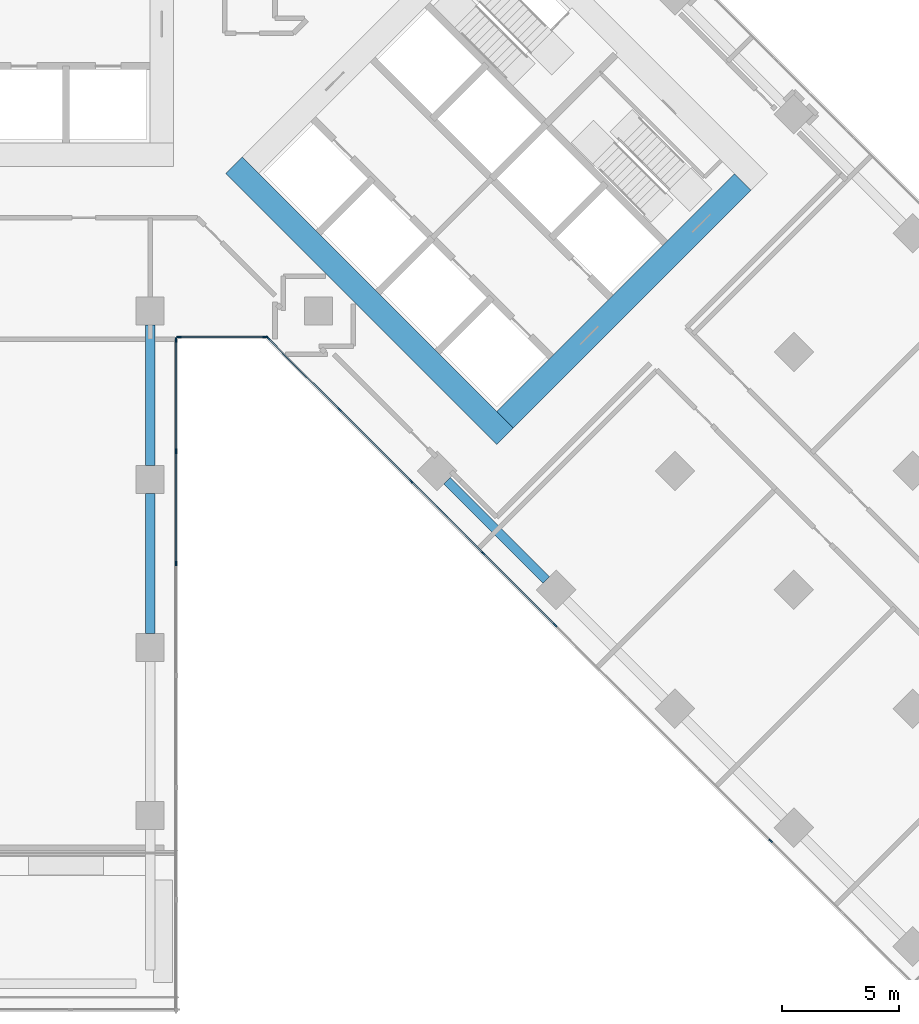
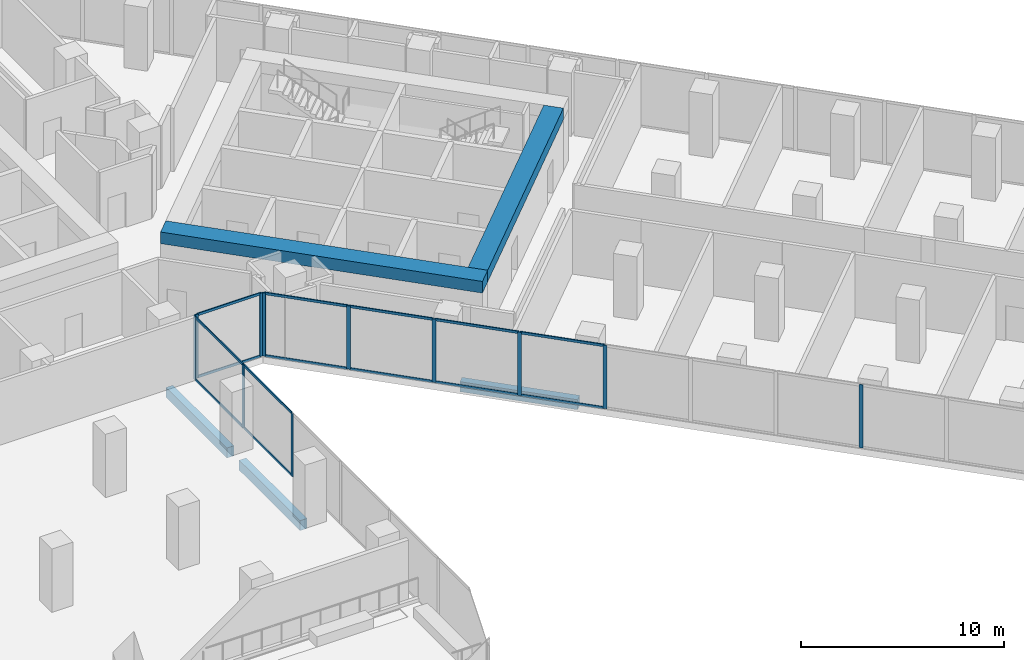
# One storey, part 10 of 27: 25 members, 5 beams, 3 elements without a shape of their own.
"""IFC4 building model written with IfcOpenShell, lengths in metres."""

from ifc_helpers import new_model, si_unit, direction, frame, origin, origin_2d, place, context, subcontext, project, spatial, rectangle, extrude, material, material_profile, profile_set, type_object, element, aggregate, save


model = new_model("IFC4")

# Units and contexts
model_context = context("Model", 3, precision=1e-05, world=origin(), true_north=direction((0.0, 1.0)))
body_context = subcontext(model_context, "Body", "Model", "MODEL_VIEW")
ifc_project = project(units=[si_unit("LENGTHUNIT", "METRE"), si_unit("AREAUNIT", "SQUARE_METRE"), si_unit("VOLUMEUNIT", "CUBIC_METRE"), si_unit("PLANEANGLEUNIT", "RADIAN"), si_unit("MASSUNIT", "GRAM", prefix="KILO")], contexts=[model_context])

# Site, building, storey
site_placement = place(None, origin())
site = spatial("IfcSite", under=ifc_project, at=site_placement, CompositionType="ELEMENT")
building_placement = place(site_placement, origin())
building = spatial("IfcBuilding", under=site, at=building_placement, Name="Windrow Commons", CompositionType="ELEMENT")
storey_placement = place(building_placement, frame((0.0, 0.0, 6.0)))
storey = spatial("IfcBuildingStorey", under=building, at=storey_placement, Name="L01", CompositionType="ELEMENT", Elevation=6.0)

# Curtain wall, members
ifc_material_1 = material(Name="Clear laminated glass in Aluminium 6063-T6 anodised frame", Category="aluminium")
curtain_wall_type = type_object("IfcCurtainWallType", Name="Curtain wall CW1 podium study hall", PredefinedType="USERDEFINED", material=ifc_material_1)
placement = place(storey_placement, origin())
curtain_wall_1 = element("IfcCurtainWall", 1, at=placement, inside=storey, type_object=curtain_wall_type, Name="Curtain wall CW1 L01 14", ObjectType="STICK", PredefinedType="USERDEFINED")
ifc_material_2 = material(Name="Aluminium 6063-T6", Category="aluminium")
ifc_material_profile_1 = material_profile(ifc_material_2, rectangle(XDim=0.06, YDim=0.2, at=origin_2d()))
ifc_profile_set_1 = profile_set([ifc_material_profile_1], Name="Aluminium 6063-T6")
member_type_1 = type_object("IfcMemberType", Name="CW1 mullion 60x200", PredefinedType="MULLION", material=ifc_profile_set_1)
member_1_placement = place(storey_placement, frame((73.1, 32.4, 0.0), z_axis=(0.0, 0.0, 1.0), x_axis=(-1.0, 0.0, 0.0)))
member_1 = element("IfcMember", 2, at=member_1_placement, type_object=member_type_1, Name="CW1 mullion 5", PredefinedType="MULLION", context=body_context, shape_type="SweptSolid", body=[
    extrude(rectangle(XDim=0.06, YDim=0.2, at=origin_2d()), origin(), (0.0, 0.0, 1.0), 3.8),
])
member_2_placement = place(storey_placement, frame((73.1, 37.2, 0.0), z_axis=(0.0, 0.0, 1.0), x_axis=(-1.0, 0.0, 0.0)))
member_2 = element("IfcMember", 3, at=member_2_placement, type_object=member_type_1, Name="CW1 mullion 6", PredefinedType="MULLION", context=body_context, shape_type="SweptSolid", body=[
    extrude(rectangle(XDim=0.06, YDim=0.2, at=origin_2d()), origin(), (0.0, 0.0, 1.0), 3.8),
])
member_3_placement = place(storey_placement, frame((73.1, 41.97, 0.0), z_axis=(0.0, 0.0, 1.0), x_axis=(-1.0, 0.0, 0.0)))
member_3 = element("IfcMember", 4, at=member_3_placement, type_object=member_type_1, Name="CW1 mullion 7", PredefinedType="MULLION", context=body_context, shape_type="SweptSolid", body=[
    extrude(rectangle(XDim=0.06, YDim=0.2, at=origin_2d()), origin(), (0.0, 0.0, 1.0), 3.8),
])

curtain_wall_2 = element("IfcCurtainWall", 5, at=placement, inside=storey, type_object=curtain_wall_type, Name="Curtain wall CW1 L01 15", ObjectType="STICK", PredefinedType="USERDEFINED")
member_4_placement = place(storey_placement, frame((73.23, 42.1, 0.0), z_axis=(0.0, 0.0, 1.0), x_axis=(0.0, 1.0, 0.0)))
member_4 = element("IfcMember", 6, at=member_4_placement, type_object=member_type_1, Name="CW1 mullion 1", PredefinedType="MULLION", context=body_context, shape_type="SweptSolid", body=[
    extrude(rectangle(XDim=0.06, YDim=0.2, at=origin_2d()), origin(), (0.0, 0.0, 1.0), 3.8),
])
member_5_placement = place(storey_placement, frame((76.9259, 42.1, 0.0), z_axis=(0.0, 0.0, 1.0), x_axis=(0.0, 1.0, 0.0)))
member_5 = element("IfcMember", 7, at=member_5_placement, type_object=member_type_1, Name="CW1 mullion 2", PredefinedType="MULLION", context=body_context, shape_type="SweptSolid", body=[
    extrude(rectangle(XDim=0.06, YDim=0.2, at=origin_2d()), origin(), (0.0, 0.0, 1.0), 3.8),
])

curtain_wall_3 = element("IfcCurtainWall", 8, at=placement, inside=storey, type_object=curtain_wall_type, Name="Curtain wall CW1 L01 16", ObjectType="STICK", PredefinedType="USERDEFINED")
member_6_placement = place(storey_placement, frame((77.0478, 42.0495, 0.0), z_axis=(0.0, 0.0, 1.0), x_axis=(0.7071067812, 0.7071067812, 0.0)))
member_6 = element("IfcMember", 9, at=member_6_placement, type_object=member_type_1, Name="CW1 mullion 1", PredefinedType="MULLION", context=body_context, shape_type="SweptSolid", body=[
    extrude(rectangle(XDim=0.06, YDim=0.2, at=origin_2d()), origin(), (0.0, 0.0, 1.0), 3.8),
])
member_7_placement = place(storey_placement, frame((80.1044, 38.9929, 0.0), z_axis=(0.0, 0.0, 1.0), x_axis=(0.7071067812, 0.7071067812, 0.0)))
member_7 = element("IfcMember", 10, at=member_7_placement, type_object=member_type_1, Name="CW1 mullion 2", PredefinedType="MULLION", context=body_context, shape_type="SweptSolid", body=[
    extrude(rectangle(XDim=0.06, YDim=0.2, at=origin_2d()), origin(), (0.0, 0.0, 1.0), 3.8),
])
member_8_placement = place(storey_placement, frame((83.1821, 35.9152, 0.0), z_axis=(0.0, 0.0, 1.0), x_axis=(0.7071067812, 0.7071067812, 0.0)))
member_8 = element("IfcMember", 11, at=member_8_placement, type_object=member_type_1, Name="CW1 mullion 3", PredefinedType="MULLION", context=body_context, shape_type="SweptSolid", body=[
    extrude(rectangle(XDim=0.06, YDim=0.2, at=origin_2d()), origin(), (0.0, 0.0, 1.0), 3.8),
])
member_9_placement = place(storey_placement, frame((86.2599, 32.8374, 0.0), z_axis=(0.0, 0.0, 1.0), x_axis=(0.7071067812, 0.7071067812, 0.0)))
member_9 = element("IfcMember", 12, at=member_9_placement, type_object=member_type_1, Name="CW1 mullion 4", PredefinedType="MULLION", context=body_context, shape_type="SweptSolid", body=[
    extrude(rectangle(XDim=0.06, YDim=0.2, at=origin_2d()), origin(), (0.0, 0.0, 1.0), 3.8),
])
member_10_placement = place(storey_placement, frame((89.3377, 29.7596, 0.0), z_axis=(0.0, 0.0, 1.0), x_axis=(0.7071067812, 0.7071067812, 0.0)))
member_10 = element("IfcMember", 13, at=member_10_placement, type_object=member_type_1, Name="CW1 mullion 5", PredefinedType="MULLION", context=body_context, shape_type="SweptSolid", body=[
    extrude(rectangle(XDim=0.06, YDim=0.2, at=origin_2d()), origin(), (0.0, 0.0, 1.0), 3.8),
])
member_11_placement = place(storey_placement, frame((98.571, 20.5263, 0.0), z_axis=(0.0, 0.0, 1.0), x_axis=(0.7071067812, 0.7071067812, 0.0)))
member_11 = element("IfcMember", 14, at=member_11_placement, type_object=member_type_1, Name="CW1 mullion 8", PredefinedType="MULLION", context=body_context, shape_type="SweptSolid", body=[
    extrude(rectangle(XDim=0.06, YDim=0.2, at=origin_2d()), origin(), (0.0, 0.0, 1.0), 3.8),
])

# Member
ifc_material_3 = material(Name="Aluminium 6063-T6", Category="aluminium")
ifc_material_profile_2 = material_profile(ifc_material_3, rectangle(XDim=0.06, YDim=0.15, at=origin_2d()))
ifc_profile_set_2 = profile_set([ifc_material_profile_2], Name="Aluminium 6063-T6")
member_type_2 = type_object("IfcMemberType", Name="CW1 transom 60x150", PredefinedType="USERDEFINED", material=ifc_profile_set_2)
member_12_placement = place(storey_placement, frame((73.1, 32.43, 0.03), z_axis=(0.0, 1.0, 0.0), x_axis=(-1.0, 0.0, 0.0)))
member_12 = element("IfcMember", 15, at=member_12_placement, type_object=member_type_2, Name="CW1 transom 5.1", ObjectType="TRANSOM", PredefinedType="USERDEFINED", context=body_context, shape_type="SweptSolid", body=[
    extrude(rectangle(XDim=0.06, YDim=0.15, at=origin_2d()), origin(), (0.0, 0.0, 1.0), 4.74),
])

member_13_placement = place(storey_placement, frame((73.1, 32.43, 3.77), z_axis=(0.0, 1.0, 0.0), x_axis=(-1.0, 0.0, 0.0)))
member_13 = element("IfcMember", 16, at=member_13_placement, type_object=member_type_2, Name="CW1 transom 5.2", ObjectType="TRANSOM", PredefinedType="USERDEFINED", context=body_context, shape_type="SweptSolid", body=[
    extrude(rectangle(XDim=0.06, YDim=0.15, at=origin_2d()), origin(), (0.0, 0.0, 1.0), 4.74),
])

member_14_placement = place(storey_placement, frame((73.1, 37.23, 0.03), z_axis=(0.0, 1.0, 0.0), x_axis=(-1.0, 0.0, 0.0)))
member_14 = element("IfcMember", 17, at=member_14_placement, type_object=member_type_2, Name="CW1 transom 6.1", ObjectType="TRANSOM", PredefinedType="USERDEFINED", context=body_context, shape_type="SweptSolid", body=[
    extrude(rectangle(XDim=0.06, YDim=0.15, at=origin_2d()), origin(), (0.0, 0.0, 1.0), 4.71),
])

member_15_placement = place(storey_placement, frame((73.1, 37.23, 3.77), z_axis=(0.0, 1.0, 0.0), x_axis=(-1.0, 0.0, 0.0)))
member_15 = element("IfcMember", 18, at=member_15_placement, type_object=member_type_2, Name="CW1 transom 6.2", ObjectType="TRANSOM", PredefinedType="USERDEFINED", context=body_context, shape_type="SweptSolid", body=[
    extrude(rectangle(XDim=0.06, YDim=0.15, at=origin_2d()), origin(), (0.0, 0.0, 1.0), 4.71),
])

aggregate(curtain_wall_1, [member_1, member_2, member_3, member_12, member_13, member_14, member_15])

member_16_placement = place(storey_placement, frame((73.26, 42.1, 0.03), z_axis=(1.0, 0.0, 0.0), x_axis=(0.0, 1.0, 0.0)))
member_16 = element("IfcMember", 19, at=member_16_placement, type_object=member_type_2, Name="CW1 transom 1.1", ObjectType="TRANSOM", PredefinedType="USERDEFINED", context=body_context, shape_type="SweptSolid", body=[
    extrude(rectangle(XDim=0.06, YDim=0.15, at=origin_2d()), origin(), (0.0, 0.0, 1.0), 3.6359),
])

member_17_placement = place(storey_placement, frame((73.26, 42.1, 3.77), z_axis=(1.0, 0.0, 0.0), x_axis=(0.0, 1.0, 0.0)))
member_17 = element("IfcMember", 20, at=member_17_placement, type_object=member_type_2, Name="CW1 transom 1.2", ObjectType="TRANSOM", PredefinedType="USERDEFINED", context=body_context, shape_type="SweptSolid", body=[
    extrude(rectangle(XDim=0.06, YDim=0.15, at=origin_2d()), origin(), (0.0, 0.0, 1.0), 3.6359),
])

aggregate(curtain_wall_2, [member_4, member_5, member_16, member_17])

member_18_placement = place(storey_placement, frame((77.069, 42.0283, 0.03), z_axis=(0.7071185109, -0.7070950513, 0.0), x_axis=(0.7070950513, 0.7071185109, 0.0)))
member_18 = element("IfcMember", 21, at=member_18_placement, type_object=member_type_2, Name="CW1 transom 1.1", ObjectType="TRANSOM", PredefinedType="USERDEFINED", context=body_context, shape_type="SweptSolid", body=[
    extrude(rectangle(XDim=0.06, YDim=0.15, at=origin_2d()), origin(), (0.0, 0.0, 1.0), 4.2627),
])

member_19_placement = place(storey_placement, frame((77.069, 42.0283, 3.77), z_axis=(0.7071185109, -0.7070950513, 0.0), x_axis=(0.7070950513, 0.7071185109, 0.0)))
member_19 = element("IfcMember", 22, at=member_19_placement, type_object=member_type_2, Name="CW1 transom 1.2", ObjectType="TRANSOM", PredefinedType="USERDEFINED", context=body_context, shape_type="SweptSolid", body=[
    extrude(rectangle(XDim=0.06, YDim=0.15, at=origin_2d()), origin(), (0.0, 0.0, 1.0), 4.2627),
])

member_20_placement = place(storey_placement, frame((80.1256, 38.9717, 0.03), z_axis=(0.7071067812, -0.7071067812, 0.0), x_axis=(0.7071067812, 0.7071067812, 0.0)))
member_20 = element("IfcMember", 23, at=member_20_placement, type_object=member_type_2, Name="CW1 transom 2.1", ObjectType="TRANSOM", PredefinedType="USERDEFINED", context=body_context, shape_type="SweptSolid", body=[
    extrude(rectangle(XDim=0.06, YDim=0.15, at=origin_2d()), origin(), (0.0, 0.0, 1.0), 4.2926),
])

member_21_placement = place(storey_placement, frame((80.1256, 38.9717, 3.77), z_axis=(0.7071067812, -0.7071067812, 0.0), x_axis=(0.7071067812, 0.7071067812, 0.0)))
member_21 = element("IfcMember", 24, at=member_21_placement, type_object=member_type_2, Name="CW1 transom 2.2", ObjectType="TRANSOM", PredefinedType="USERDEFINED", context=body_context, shape_type="SweptSolid", body=[
    extrude(rectangle(XDim=0.06, YDim=0.15, at=origin_2d()), origin(), (0.0, 0.0, 1.0), 4.2926),
])

member_22_placement = place(storey_placement, frame((83.2034, 35.894, 0.03), z_axis=(0.7070951332, -0.707118429, 0.0), x_axis=(0.707118429, 0.7070951332, 0.0)))
member_22 = element("IfcMember", 25, at=member_22_placement, type_object=member_type_2, Name="CW1 transom 3.1", ObjectType="TRANSOM", PredefinedType="USERDEFINED", context=body_context, shape_type="SweptSolid", body=[
    extrude(rectangle(XDim=0.06, YDim=0.15, at=origin_2d()), origin(), (0.0, 0.0, 1.0), 4.2926),
])

member_23_placement = place(storey_placement, frame((83.2034, 35.894, 3.77), z_axis=(0.7070951332, -0.707118429, 0.0), x_axis=(0.707118429, 0.7070951332, 0.0)))
member_23 = element("IfcMember", 26, at=member_23_placement, type_object=member_type_2, Name="CW1 transom 3.2", ObjectType="TRANSOM", PredefinedType="USERDEFINED", context=body_context, shape_type="SweptSolid", body=[
    extrude(rectangle(XDim=0.06, YDim=0.15, at=origin_2d()), origin(), (0.0, 0.0, 1.0), 4.2926),
])

member_24_placement = place(storey_placement, frame((86.2811, 32.8162, 0.03), z_axis=(0.707118429, -0.7070951332, 0.0), x_axis=(0.7070951332, 0.707118429, 0.0)))
member_24 = element("IfcMember", 27, at=member_24_placement, type_object=member_type_2, Name="CW1 transom 4.1", ObjectType="TRANSOM", PredefinedType="USERDEFINED", context=body_context, shape_type="SweptSolid", body=[
    extrude(rectangle(XDim=0.06, YDim=0.15, at=origin_2d()), origin(), (0.0, 0.0, 1.0), 4.2926),
])

member_25_placement = place(storey_placement, frame((86.2811, 32.8162, 3.77), z_axis=(0.707118429, -0.7070951332, 0.0), x_axis=(0.7070951332, 0.707118429, 0.0)))
member_25 = element("IfcMember", 28, at=member_25_placement, type_object=member_type_2, Name="CW1 transom 4.2", ObjectType="TRANSOM", PredefinedType="USERDEFINED", context=body_context, shape_type="SweptSolid", body=[
    extrude(rectangle(XDim=0.06, YDim=0.15, at=origin_2d()), origin(), (0.0, 0.0, 1.0), 4.2926),
])

aggregate(curtain_wall_3, [member_6, member_7, member_8, member_9, member_10, member_11, member_18, member_19, member_20, member_21, member_22, member_23, member_24, member_25])

# Beams
ifc_material_4 = material(Name="Concrete C60/75", Category="concrete")
ifc_material_profile_3 = material_profile(ifc_material_4, rectangle(XDim=1.0, YDim=0.7, at=origin_2d()))
ifc_profile_set_3 = profile_set([ifc_material_profile_3], Name="Concrete C60/75")
beam_type_1 = type_object("IfcBeamType", Name="RC COUPLING BEAM 1000x700 C60/75", PredefinedType="LINTEL", material=ifc_profile_set_3)
beam_1_placement = place(storey_placement, frame((75.5938, 49.4433, 3.45), z_axis=(0.7071037324, -0.70710983, 0.0), x_axis=(0.70710983, 0.7071037324, 0.0)))
element("IfcBeam", 29, at=beam_1_placement, inside=storey, type_object=beam_type_1, Name="Core B coupling beam outer-S", PredefinedType="LINTEL", context=body_context, shape_type="SweptSolid", body=[
    extrude(rectangle(XDim=1.0, YDim=0.7, at=origin_2d()), origin(), (0.0, 0.0, 1.0), 16.4),
])
beam_2_placement = place(storey_placement, frame((87.1903, 38.5538, 3.45), z_axis=(0.707103309, 0.7071102534, 0.0), x_axis=(-0.7071102534, 0.707103309, 0.0)))
element("IfcBeam", 30, at=beam_2_placement, inside=storey, type_object=beam_type_1, Name="Core B coupling beam outer-E", PredefinedType="LINTEL", context=body_context, shape_type="SweptSolid", body=[
    extrude(rectangle(XDim=1.0, YDim=0.7, at=origin_2d()), origin(), (0.0, 0.0, 1.0), 14.4),
])
ifc_material_5 = material(Name="Concrete C60/75", Category="concrete")
ifc_material_profile_4 = material_profile(ifc_material_5, rectangle(XDim=0.4, YDim=0.6, at=origin_2d()))
ifc_profile_set_4 = profile_set([ifc_material_profile_4], Name="Concrete C60/75")
beam_type_2 = type_object("IfcBeamType", Name="RC EDGE BEAM 400x600 C60/75", PredefinedType="SPANDREL", material=ifc_profile_set_4)
beam_3_placement = place(storey_placement, frame((88.958, 31.6949, -0.7), z_axis=(-0.7070984476, 0.7071151146, 0.0), x_axis=(-0.7071151146, -0.7070984476, 0.0)))
element("IfcBeam", 31, at=beam_3_placement, inside=storey, type_object=beam_type_2, Name="Edge beam L01 030", PredefinedType="SPANDREL", context=body_context, shape_type="SweptSolid", body=[
    extrude(rectangle(XDim=0.4, YDim=0.6, at=origin_2d()), origin(), (0.0, 0.0, 1.0), 5.9999),
])
for number, where, z_axis, x_axis, name in (
    (32, (72.0, 42.6, -0.7), (0.0, -1.0, 0.0), (1.0, 0.0, 0.0), "Edge beam L01 031"),
    (33, (72.0, 35.4, -0.7), (0.0, -1.0, 0.0), (1.0, 0.0, 0.0), "Edge beam L01 032"),
):
    element("IfcBeam", number, at=place(storey_placement, frame(where, z_axis=z_axis, x_axis=x_axis)), inside=storey, type_object=beam_type_2, Name=name, PredefinedType="SPANDREL", context=body_context, shape_type="SweptSolid", body=[
        extrude(rectangle(XDim=0.4, YDim=0.6, at=origin_2d()), origin(), (0.0, 0.0, 1.0), 6.0),
    ])

save(model, "model.ifc")
